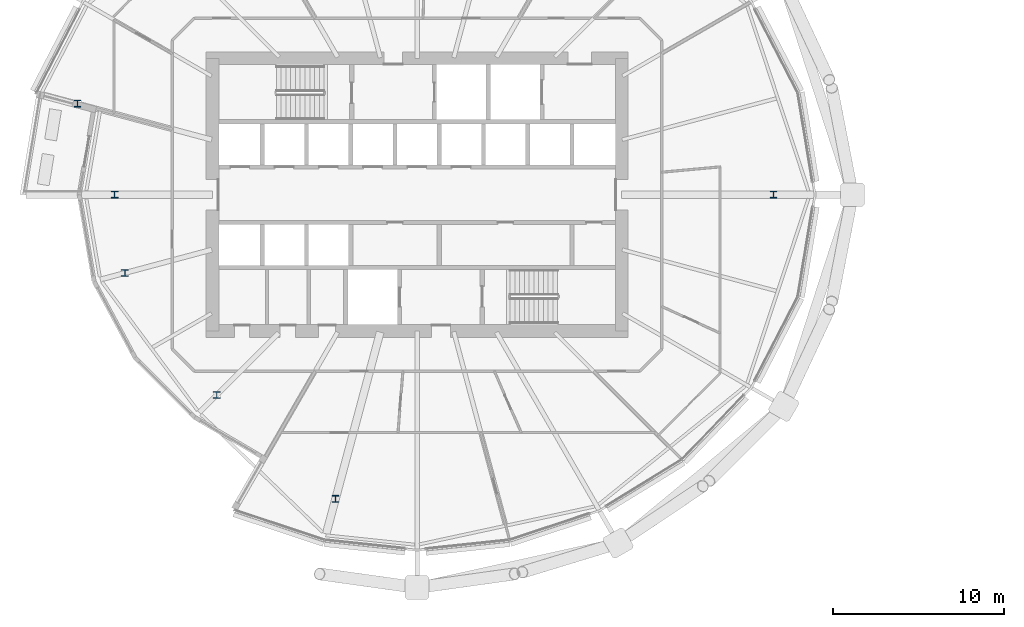
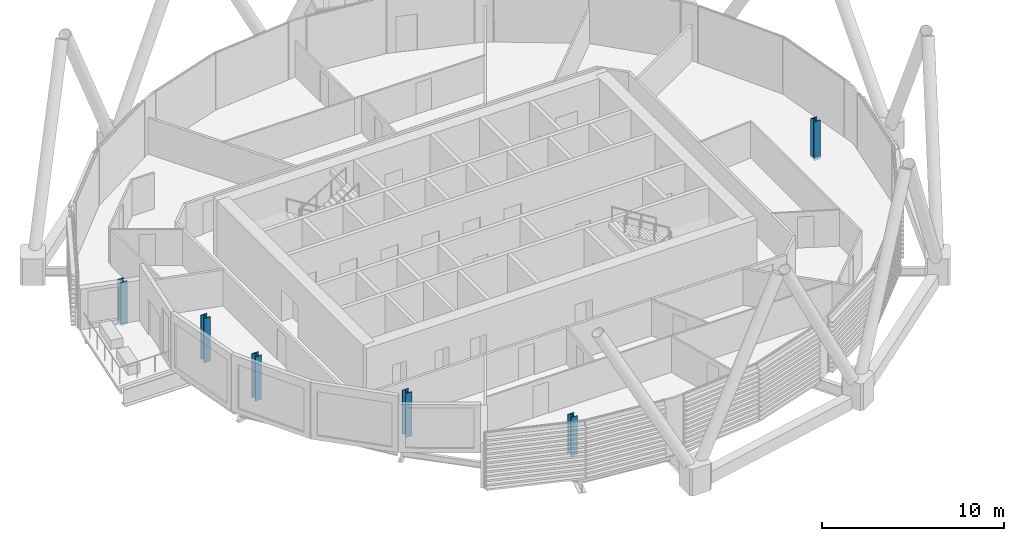
# One storey, part 1 of 38: 6 columns.
"""IFC4 building model written with IfcOpenShell, lengths in metres."""

from ifc_helpers import new_model, si_unit, direction, frame, origin, origin_2d, place, context, subcontext, project, spatial, i_section, extrude, material, material_profile, profile_set, type_object, element, save


model = new_model("IFC4")

# Units and contexts
model_context = context("Model", 3, precision=1e-05, world=origin(), true_north=direction((0.0, 1.0)))
body_context = subcontext(model_context, "Body", "Model", "MODEL_VIEW")
ifc_project = project(units=[si_unit("LENGTHUNIT", "METRE"), si_unit("AREAUNIT", "SQUARE_METRE"), si_unit("VOLUMEUNIT", "CUBIC_METRE"), si_unit("PLANEANGLEUNIT", "RADIAN"), si_unit("MASSUNIT", "GRAM", prefix="KILO")], contexts=[model_context])

# Site, building, storey
site_placement = place(None, origin())
site = spatial("IfcSite", under=ifc_project, at=site_placement, CompositionType="ELEMENT")
building_placement = place(site_placement, origin())
building = spatial("IfcBuilding", under=site, at=building_placement, Name="Rimbun Link Towers", CompositionType="ELEMENT")
storey_placement = place(building_placement, frame((0.0, 0.0, 104.39990234375)))
storey = spatial("IfcBuildingStorey", under=building, at=storey_placement, Name="L25", CompositionType="ELEMENT", Elevation=104.39990234375)

# Columns
ifc_material = material(Name="Steel S355J2", Category="steel")
ifc_material_profile = material_profile(ifc_material, i_section(OverallWidth=0.39892578125, OverallDepth=0.3935546875, WebThickness=0.022705078125, FlangeThickness=0.03662109375, at=origin_2d()), Name="UC 356x406x287")
ifc_profile_set = profile_set([ifc_material_profile], Name="Steel S355J2")
column_type = type_object("IfcColumnType", Name="UC 356x406x287", PredefinedType="COLUMN", material=ifc_profile_set)
column_1_placement = place(storey_placement, frame((-10.845703125, 0.0, -0.159912109375), z_axis=(0.0, 0.0, 1.0), x_axis=(1.0, 0.0, 0.0)))
element("IfcColumn", 1, at=column_1_placement, inside=storey, type_object=column_type, Name="Crease post T1 L25 00", PredefinedType="COLUMN", context=body_context, shape_type="SweptSolid", body=[
    extrude(i_section(OverallWidth=0.39892578125, OverallDepth=0.3935546875, WebThickness=0.022705078125, FlangeThickness=0.03662109375, at=origin_2d()), origin(), (0.0, 0.0, 1.0), 2.60009765625),
])
column_2_placement = place(storey_placement, frame((-51.661376953125, 5.335205078125, -0.159912109375), z_axis=(0.0, 0.0, 1.0), x_axis=(1.0, 0.0, 0.0)))
element("IfcColumn", 2, at=column_2_placement, inside=storey, type_object=column_type, Name="Crease post T1 L25 11", PredefinedType="COLUMN", context=body_context, shape_type="SweptSolid", body=[
    extrude(i_section(OverallWidth=0.39892578125, OverallDepth=0.3935546875, WebThickness=0.022705078125, FlangeThickness=0.03662109375, at=origin_2d()), origin(), (0.0, 0.0, 1.0), 2.881591796875),
])
for number, where, z_axis, x_axis, name in (
    (3, (-49.4814453125, 0.0, -0.159912109375), (0.0, 0.0, 1.0), (1.0, 0.0, 0.0), "Crease post T1 L25 12"),
    (4, (-48.882080078125, -4.590576171875, -0.159912109375), (0.0, 0.0, 1.0), (1.0, 0.0, 0.0), "Crease post T1 L25 13"),
    (5, (-43.494384765625, -11.744384765625, -0.159912109375), (0.0, 0.0, 1.0), (1.0, 0.0, 0.0), "Crease post T1 L25 15"),
):
    element("IfcColumn", number, at=place(storey_placement, frame(where, z_axis=z_axis, x_axis=x_axis)), inside=storey, type_object=column_type, Name=name, PredefinedType="COLUMN", context=body_context, shape_type="SweptSolid", body=[
        extrude(i_section(OverallWidth=0.39892578125, OverallDepth=0.3935546875, WebThickness=0.022705078125, FlangeThickness=0.03662109375, at=origin_2d()), origin(), (0.0, 0.0, 1.0), 2.959228515625),
    ])
column_3_placement = place(storey_placement, frame((-36.5283203125, -17.83251953125, -0.159912109375), z_axis=(0.0, 0.0, 1.0), x_axis=(1.0, 0.0, 0.0)))
element("IfcColumn", 6, at=column_3_placement, inside=storey, type_object=column_type, Name="Crease post T1 L25 17", PredefinedType="COLUMN", context=body_context, shape_type="SweptSolid", body=[
    extrude(i_section(OverallWidth=0.39892578125, OverallDepth=0.3935546875, WebThickness=0.022705078125, FlangeThickness=0.03662109375, at=origin_2d()), origin(), (0.0, 0.0, 1.0), 2.60009765625),
])

save(model, "model.ifc")
